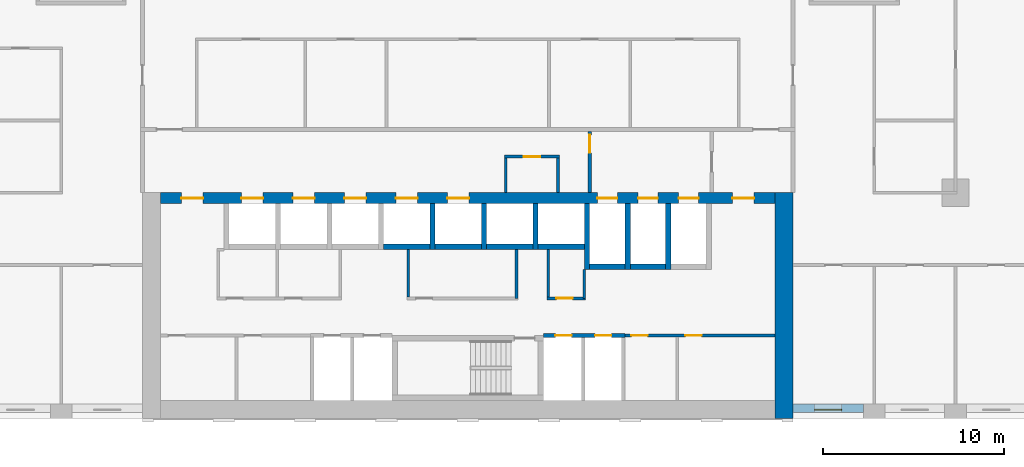
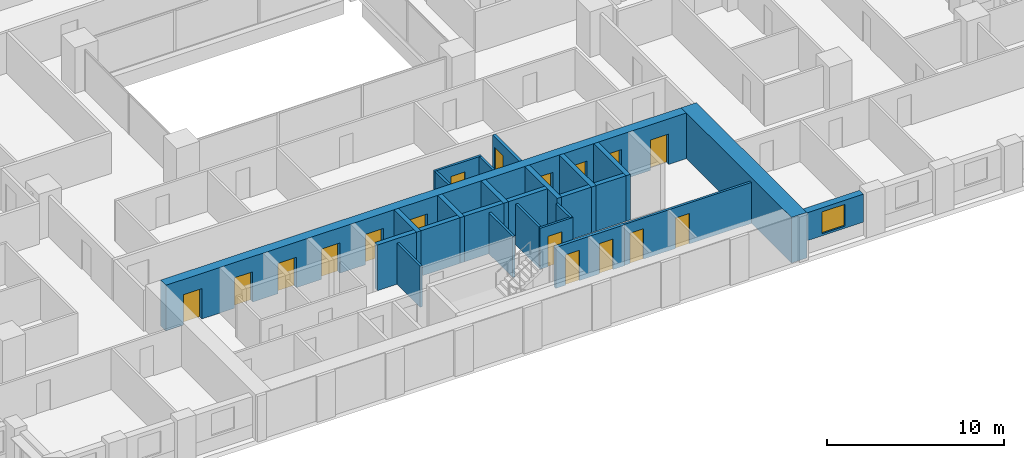
# One storey, part 11 of 20: 26 walls, 17 doors, 1 window, 18 openings.
"""IFC4 building model written with IfcOpenShell, lengths in metres."""

from ifc_helpers import new_model, si_unit, direction, frame, frame_2d, origin, place, context, subcontext, project, spatial, rectangle, extrude, material, layer, layer_set, type_object, element, fill, save


model = new_model("IFC4")

# Units and contexts
model_context = context("Model", 3, precision=1e-05, world=origin(), true_north=direction((0.0, 1.0)))
body_context = subcontext(model_context, "Body", "Model", "MODEL_VIEW")
ifc_project = project(units=[si_unit("LENGTHUNIT", "METRE"), si_unit("AREAUNIT", "SQUARE_METRE"), si_unit("VOLUMEUNIT", "CUBIC_METRE"), si_unit("PLANEANGLEUNIT", "RADIAN"), si_unit("MASSUNIT", "GRAM", prefix="KILO")], contexts=[model_context])

# Site, building, storey
site_placement = place(None, origin())
site = spatial("IfcSite", under=ifc_project, at=site_placement, CompositionType="ELEMENT")
building_placement = place(site_placement, origin())
building = spatial("IfcBuilding", under=site, at=building_placement, Name="Brigalow Station Residences", CompositionType="ELEMENT")
storey_placement = place(building_placement, frame((0.0, 0.0, 41.550048828125)))
storey = spatial("IfcBuildingStorey", under=building, at=storey_placement, Name="L11", CompositionType="ELEMENT", Elevation=41.550048828125)

# Wall, opening, window
ifc_material_1 = material(Name="Clay brick masonry", Category="masonry")
ifc_layer_1 = layer(ifc_material_1, 0.449951171875)
ifc_layer_set_1 = layer_set([ifc_layer_1], Name="BRICK INFILL WALL 450")
wall_type_1 = type_object("IfcWallType", Name="BRICK INFILL WALL 450", PredefinedType="SOLIDWALL", material=ifc_layer_set_1)
wall_1_placement = place(storey_placement, frame((54.0, 0.574951171875, 0.89990234375), z_axis=(0.0, 0.0, 1.0), x_axis=(1.0, 0.0, 0.0)))
wall_1 = element("IfcWall", 1, at=wall_1_placement, inside=storey, type_object=wall_type_1, Name="L11/ewall/W-L11-5", PredefinedType="SOLIDWALL", context=body_context, shape_type="SweptSolid", body=[
    extrude(rectangle(XDim=3.89990234375, YDim=0.449951171875, at=frame_2d((1.949951171875, 0.0))), origin(), (0.0, 0.0, 1.0), 1.929931640625),
])
opening_1_placement = place(wall_1_placement, frame((1.199951171875, 0.0, 0.14990234375)))
opening_1 = element("IfcOpeningElement", 2, at=opening_1_placement, cuts=wall_1, Name="Opening WT-1", PredefinedType="OPENING", context=body_context, shape_type="SweptSolid", body=[
    extrude(rectangle(XDim=1.5, YDim=1.5, at=frame_2d((0.75, 0.75))), frame((0.0, 0.23486328125, 0.0), z_axis=(0.0, -1.0, 0.0), x_axis=(1.0, 0.0, 0.0)), (0.0, 0.0, 1.0), 0.469970703125),
])
ifc_material_2 = material(Name="Anodised aluminium frame with double glazing", Category="aluminium")
window_type = type_object("IfcWindowType", Name="WINDOW 1500x1500", PartitioningType="SINGLE_PANEL", PredefinedType="WINDOW", material=ifc_material_2)
window_placement = place(opening_1_placement, origin())
window = element("IfcWindow", 3, at=window_placement, inside=storey, type_object=window_type, Name="L11/window/W-L11-5", OverallHeight=1.5, OverallWidth=1.5, PartitioningType="SINGLE_PANEL", PredefinedType="WINDOW", context=body_context, shape_type="SweptSolid", body=[
    extrude(rectangle(XDim=1.5, YDim=1.5, at=frame_2d((0.75, 0.75))), frame((0.0, -0.06494140625, 0.0), z_axis=(0.0, -1.0, 0.0), x_axis=(1.0, 0.0, 0.0)), (0.0, 0.0, 1.0), 0.06005859375),
])
fill(opening_1, window)

# Walls
ifc_material_3 = material(Name="Concrete C80", Category="concrete")
ifc_layer_2 = layer(ifc_material_3, 1.0)
ifc_layer_set_2 = layer_set([ifc_layer_2], Name="CORE SHEAR WALL 1000 C80")
wall_type_2 = type_object("IfcWallType", Name="CORE SHEAR WALL 1000 C80", PredefinedType="SHEAR", material=ifc_layer_set_2)
wall_2_placement = place(storey_placement, frame((53.5, 0.0, 0.0), z_axis=(0.0, 0.0, 1.0), x_axis=(0.0, 1.0, 0.0)))
element("IfcWall", 4, at=wall_2_placement, inside=storey, type_object=wall_type_2, Name="CORE WALL OUT-E L11", PredefinedType="SHEAR", context=body_context, shape_type="SweptSolid", body=[
    extrude(rectangle(XDim=12.5, YDim=1.0, at=frame_2d((6.25, 0.0))), origin(), (0.0, 0.0, 1.0), 3.14990234375),
])
ifc_material_4 = material(Name="Concrete C80", Category="concrete")
ifc_layer_3 = layer(ifc_material_4, 0.300048828125)
ifc_layer_set_3 = layer_set([ifc_layer_3], Name="CORE SHEAR WALL 300 C80")
wall_type_3 = type_object("IfcWallType", Name="CORE SHEAR WALL 300 C80", PredefinedType="SHEAR", material=ifc_layer_set_3)
wall_3_placement = place(storey_placement, frame((31.35009765625, 9.5, 0.0), z_axis=(0.0, 0.0, 1.0), x_axis=(1.0, 0.0, 0.0)))
element("IfcWall", 5, at=wall_3_placement, inside=storey, type_object=wall_type_3, Name="CORE WALL SH-P4-S L11", PredefinedType="SHEAR", context=body_context, shape_type="SweptSolid", body=[
    extrude(rectangle(XDim=2.5498046875, YDim=0.300048828125, at=frame_2d((1.27490234375, 0.0))), origin(), (0.0, 0.0, 1.0), 3.14990234375),
])
wall_4_placement = place(storey_placement, frame((34.199951171875, 9.5, 0.0), z_axis=(0.0, 0.0, 1.0), x_axis=(1.0, 0.0, 0.0)))
element("IfcWall", 6, at=wall_4_placement, inside=storey, type_object=wall_type_3, Name="CORE WALL SH-P5-S L11", PredefinedType="SHEAR", context=body_context, shape_type="SweptSolid", body=[
    extrude(rectangle(XDim=2.550048828125, YDim=0.300048828125, at=frame_2d((1.27490234375, 0.0))), origin(), (0.0, 0.0, 1.0), 3.14990234375),
])
wall_5_placement = place(storey_placement, frame((34.050048828125, 9.35009765625, 0.0), z_axis=(0.0, 0.0, 1.0), x_axis=(0.0, 1.0, 0.0)))
element("IfcWall", 7, at=wall_5_placement, inside=storey, type_object=wall_type_3, Name="CORE WALL SH-P5-W L11", PredefinedType="SHEAR", context=body_context, shape_type="SweptSolid", body=[
    extrude(rectangle(XDim=2.5498046875, YDim=0.300048828125, at=frame_2d((1.27490234375, 0.0))), origin(), (0.0, 0.0, 1.0), 3.14990234375),
])
wall_6_placement = place(storey_placement, frame((37.050048828125, 9.5, 0.0), z_axis=(0.0, 0.0, 1.0), x_axis=(1.0, 0.0, 0.0)))
element("IfcWall", 8, at=wall_6_placement, inside=storey, type_object=wall_type_3, Name="CORE WALL SH-X1-S L11", PredefinedType="SHEAR", context=body_context, shape_type="SweptSolid", body=[
    extrude(rectangle(XDim=2.550048828125, YDim=0.300048828125, at=frame_2d((1.27490234375, 0.0))), origin(), (0.0, 0.0, 1.0), 3.14990234375),
])
wall_7_placement = place(storey_placement, frame((36.89990234375, 9.35009765625, 0.0), z_axis=(0.0, 0.0, 1.0), x_axis=(0.0, 1.0, 0.0)))
element("IfcWall", 9, at=wall_7_placement, inside=storey, type_object=wall_type_3, Name="CORE WALL SH-X1-W L11", PredefinedType="SHEAR", context=body_context, shape_type="SweptSolid", body=[
    extrude(rectangle(XDim=2.5498046875, YDim=0.300048828125, at=frame_2d((1.27490234375, 0.0))), origin(), (0.0, 0.0, 1.0), 3.14990234375),
])
wall_8_placement = place(storey_placement, frame((39.89990234375, 9.5, 0.0), z_axis=(0.0, 0.0, 1.0), x_axis=(1.0, 0.0, 0.0)))
element("IfcWall", 10, at=wall_8_placement, inside=storey, type_object=wall_type_3, Name="CORE WALL SH-X2-S L11", PredefinedType="SHEAR", context=body_context, shape_type="SweptSolid", body=[
    extrude(rectangle(XDim=2.550048828125, YDim=0.300048828125, at=frame_2d((1.27490234375, 0.0))), origin(), (0.0, 0.0, 1.0), 3.14990234375),
])
wall_9_placement = place(storey_placement, frame((39.75, 9.35009765625, 0.0), z_axis=(0.0, 0.0, 1.0), x_axis=(0.0, 1.0, 0.0)))
element("IfcWall", 11, at=wall_9_placement, inside=storey, type_object=wall_type_3, Name="CORE WALL SH-X2-W L11", PredefinedType="SHEAR", context=body_context, shape_type="SweptSolid", body=[
    extrude(rectangle(XDim=2.5498046875, YDim=0.300048828125, at=frame_2d((1.27490234375, 0.0))), origin(), (0.0, 0.0, 1.0), 3.14990234375),
])
wall_10_placement = place(storey_placement, frame((42.75, 8.39990234375, 0.0), z_axis=(0.0, 0.0, 1.0), x_axis=(1.0, 0.0, 0.0)))
element("IfcWall", 12, at=wall_10_placement, inside=storey, type_object=wall_type_3, Name="CORE WALL SH-FF1-S L11", PredefinedType="SHEAR", context=body_context, shape_type="SweptSolid", body=[
    extrude(rectangle(XDim=1.949951171875, YDim=0.300048828125, at=frame_2d((0.97509765625, 0.0))), origin(), (0.0, 0.0, 1.0), 3.14990234375),
])
wall_11_placement = place(storey_placement, frame((42.60009765625, 8.25, 0.0), z_axis=(0.0, 0.0, 1.0), x_axis=(0.0, 1.0, 0.0)))
element("IfcWall", 13, at=wall_11_placement, inside=storey, type_object=wall_type_3, Name="CORE WALL SH-FF1-W L11", PredefinedType="SHEAR", context=body_context, shape_type="SweptSolid", body=[
    extrude(rectangle(XDim=3.64990234375, YDim=0.300048828125, at=frame_2d((1.824951171875, 0.0))), origin(), (0.0, 0.0, 1.0), 3.14990234375),
])
wall_12_placement = place(storey_placement, frame((45.0, 8.39990234375, 0.0), z_axis=(0.0, 0.0, 1.0), x_axis=(1.0, 0.0, 0.0)))
element("IfcWall", 14, at=wall_12_placement, inside=storey, type_object=wall_type_3, Name="CORE WALL SH-FF2-S L11", PredefinedType="SHEAR", context=body_context, shape_type="SweptSolid", body=[
    extrude(rectangle(XDim=1.949951171875, YDim=0.300048828125, at=frame_2d((0.97509765625, 0.0))), origin(), (0.0, 0.0, 1.0), 3.14990234375),
])
for number, where, z_axis, x_axis, name in (
    (15, (44.85009765625, 8.25, 0.0), (0.0, 0.0, 1.0), (0.0, 1.0, 0.0), "CORE WALL SH-FF2-W L11"),
    (16, (47.10009765625, 8.25, 0.0), (0.0, 0.0, 1.0), (0.0, 1.0, 0.0), "CORE WALL SH-SL1-W L11"),
):
    element("IfcWall", number, at=place(storey_placement, frame(where, z_axis=z_axis, x_axis=x_axis)), inside=storey, type_object=wall_type_3, Name=name, PredefinedType="SHEAR", context=body_context, shape_type="SweptSolid", body=[
        extrude(rectangle(XDim=3.64990234375, YDim=0.300048828125, at=frame_2d((1.824951171875, 0.0))), origin(), (0.0, 0.0, 1.0), 3.14990234375),
    ])

# Wall, openings, doors
ifc_material_5 = material(Name="Concrete C80", Category="concrete")
ifc_layer_4 = layer(ifc_material_5, 0.60009765625)
ifc_layer_set_4 = layer_set([ifc_layer_4], Name="CORE SHEAR WALL 600 C80")
wall_type_4 = type_object("IfcWallType", Name="CORE SHEAR WALL 600 C80", PredefinedType="SHEAR", material=ifc_layer_set_4)
wall_13_placement = place(storey_placement, frame((19.0, 12.199951171875, 0.0), z_axis=(0.0, 0.0, 1.0), x_axis=(1.0, 0.0, 0.0)))
wall_13 = element("IfcWall", 17, at=wall_13_placement, inside=storey, type_object=wall_type_4, Name="CORE WALL OUT-N L11", PredefinedType="SHEAR", context=body_context, shape_type="SweptSolid", body=[
    extrude(rectangle(XDim=34.0, YDim=0.60009765625, at=frame_2d((17.0, 0.0))), origin(), (0.0, 0.0, 1.0), 3.14990234375),
])
opening_2_placement = place(wall_13_placement, frame((4.47509765625, 0.0, 0.0)))
opening_2 = element("IfcOpeningElement", 18, at=opening_2_placement, cuts=wall_13, Name="Opening LD-LA1", PredefinedType="OPENING", context=body_context, shape_type="SweptSolid", body=[
    extrude(rectangle(XDim=1.199951171875, YDim=2.10009765625, at=frame_2d((0.60009765625, 1.050048828125))), frame((0.0, 0.31005859375, 0.0), z_axis=(0.0, -1.0, 0.0), x_axis=(1.0, 0.0, 0.0)), (0.0, 0.0, 1.0), 0.6201171875),
])
opening_3_placement = place(wall_13_placement, frame((7.324951171875, 0.0, 0.0)))
opening_3 = element("IfcOpeningElement", 19, at=opening_3_placement, cuts=wall_13, Name="Opening LD-LA2", PredefinedType="OPENING", context=body_context, shape_type="SweptSolid", body=[
    extrude(rectangle(XDim=1.199951171875, YDim=2.10009765625, at=frame_2d((0.60009765625, 1.050048828125))), frame((0.0, 0.31005859375, 0.0), z_axis=(0.0, -1.0, 0.0), x_axis=(1.0, 0.0, 0.0)), (0.0, 0.0, 1.0), 0.6201171875),
])
opening_4_placement = place(wall_13_placement, frame((10.175048828125, 0.0, 0.0)))
opening_4 = element("IfcOpeningElement", 20, at=opening_4_placement, cuts=wall_13, Name="Opening LD-LA3", PredefinedType="OPENING", context=body_context, shape_type="SweptSolid", body=[
    extrude(rectangle(XDim=1.199951171875, YDim=2.10009765625, at=frame_2d((0.60009765625, 1.050048828125))), frame((0.0, 0.31005859375, 0.0), z_axis=(0.0, -1.0, 0.0), x_axis=(1.0, 0.0, 0.0)), (0.0, 0.0, 1.0), 0.6201171875),
])
opening_5_placement = place(wall_13_placement, frame((13.02490234375, 0.0, 0.0)))
opening_5 = element("IfcOpeningElement", 21, at=opening_5_placement, cuts=wall_13, Name="Opening LD-LA4", PredefinedType="OPENING", context=body_context, shape_type="SweptSolid", body=[
    extrude(rectangle(XDim=1.199951171875, YDim=2.10009765625, at=frame_2d((0.60009765625, 1.050048828125))), frame((0.0, 0.31005859375, 0.0), z_axis=(0.0, -1.0, 0.0), x_axis=(1.0, 0.0, 0.0)), (0.0, 0.0, 1.0), 0.6201171875),
])
opening_6_placement = place(wall_13_placement, frame((15.875, 0.0, 0.0)))
opening_6 = element("IfcOpeningElement", 22, at=opening_6_placement, cuts=wall_13, Name="Opening LD-LA5", PredefinedType="OPENING", context=body_context, shape_type="SweptSolid", body=[
    extrude(rectangle(XDim=1.199951171875, YDim=2.10009765625, at=frame_2d((0.60009765625, 1.050048828125))), frame((0.0, 0.31005859375, 0.0), z_axis=(0.0, -1.0, 0.0), x_axis=(1.0, 0.0, 0.0)), (0.0, 0.0, 1.0), 0.6201171875),
])
opening_7_placement = place(wall_13_placement, frame((24.175048828125, 0.0, 0.0)))
opening_7 = element("IfcOpeningElement", 23, at=opening_7_placement, cuts=wall_13, Name="Opening LD-LF1", PredefinedType="OPENING", context=body_context, shape_type="SweptSolid", body=[
    extrude(rectangle(XDim=1.10009765625, YDim=2.10009765625, at=frame_2d((0.550048828125, 1.050048828125))), frame((0.0, 0.31005859375, 0.0), z_axis=(0.0, -1.0, 0.0), x_axis=(1.0, 0.0, 0.0)), (0.0, 0.0, 1.0), 0.6201171875),
])
opening_8_placement = place(wall_13_placement, frame((26.425048828125, 0.0, 0.0)))
opening_8 = element("IfcOpeningElement", 24, at=opening_8_placement, cuts=wall_13, Name="Opening LD-LF2", PredefinedType="OPENING", context=body_context, shape_type="SweptSolid", body=[
    extrude(rectangle(XDim=1.10009765625, YDim=2.10009765625, at=frame_2d((0.550048828125, 1.050048828125))), frame((0.0, 0.31005859375, 0.0), z_axis=(0.0, -1.0, 0.0), x_axis=(1.0, 0.0, 0.0)), (0.0, 0.0, 1.0), 0.6201171875),
])
opening_9_placement = place(wall_13_placement, frame((28.675048828125, 0.0, 0.0)))
opening_9 = element("IfcOpeningElement", 25, at=opening_9_placement, cuts=wall_13, Name="Opening LD-LG1", PredefinedType="OPENING", context=body_context, shape_type="SweptSolid", body=[
    extrude(rectangle(XDim=1.10009765625, YDim=2.10009765625, at=frame_2d((0.550048828125, 1.050048828125))), frame((0.0, 0.31005859375, 0.0), z_axis=(0.0, -1.0, 0.0), x_axis=(1.0, 0.0, 0.0)), (0.0, 0.0, 1.0), 0.6201171875),
])
opening_10_placement = place(wall_13_placement, frame((1.14990234375, 0.0, 0.0)))
opening_10 = element("IfcOpeningElement", 26, at=opening_10_placement, cuts=wall_13, Name="Opening D-5011", PredefinedType="OPENING", context=body_context, shape_type="SweptSolid", body=[
    extrude(rectangle(XDim=1.199951171875, YDim=2.10009765625, at=frame_2d((0.60009765625, 1.050048828125))), frame((0.0, 0.31005859375, 0.0), z_axis=(0.0, -1.0, 0.0), x_axis=(1.0, 0.0, 0.0)), (0.0, 0.0, 1.0), 0.6201171875),
])
opening_11_placement = place(wall_13_placement, frame((31.64990234375, 0.0, 0.0)))
opening_11 = element("IfcOpeningElement", 27, at=opening_11_placement, cuts=wall_13, Name="Opening D-5012", PredefinedType="OPENING", context=body_context, shape_type="SweptSolid", body=[
    extrude(rectangle(XDim=1.199951171875, YDim=2.10009765625, at=frame_2d((0.60009765625, 1.050048828125))), frame((0.0, 0.31005859375, 0.0), z_axis=(0.0, -1.0, 0.0), x_axis=(1.0, 0.0, 0.0)), (0.0, 0.0, 1.0), 0.6201171875),
])
ifc_material_6 = material(Name="Steel fire door leaf in steel frame", Category="steel")
door_type_1 = type_object("IfcDoorType", Name="CORE CORRIDOR DOOR 1200 x 2100 FD60S", OperationType="SINGLE_SWING_LEFT", PredefinedType="DOOR", material=ifc_material_6)
door_1_placement = place(opening_10_placement, frame((1.199951171875, 0.0, 0.0), z_axis=(0.0, 0.0, 1.0), x_axis=(-1.0, 0.0, 0.0)))
door_1 = element("IfcDoor", 28, at=door_1_placement, inside=storey, type_object=door_type_1, Name="D-5011", OperationType="SINGLE_SWING_LEFT", OverallHeight=2.10009765625, OverallWidth=1.199951171875, PredefinedType="DOOR", context=body_context, shape_type="SweptSolid", body=[
    extrude(rectangle(XDim=1.199951171875, YDim=2.10009765625, at=frame_2d((0.60009765625, 1.050048828125))), frame((0.0, 0.02490234375, 0.0), z_axis=(0.0, -1.0, 0.0), x_axis=(1.0, 0.0, 0.0)), (0.0, 0.0, 1.0), 0.050048828125),
])
fill(opening_10, door_1)
door_2_placement = place(opening_11_placement, frame((1.199951171875, 0.0, 0.0), z_axis=(0.0, 0.0, 1.0), x_axis=(-1.0, 0.0, 0.0)))
door_2 = element("IfcDoor", 29, at=door_2_placement, inside=storey, type_object=door_type_1, Name="D-5012", OperationType="SINGLE_SWING_RIGHT", OverallHeight=2.10009765625, OverallWidth=1.199951171875, PredefinedType="DOOR", context=body_context, shape_type="SweptSolid", body=[
    extrude(rectangle(XDim=1.199951171875, YDim=2.10009765625, at=frame_2d((0.60009765625, 1.050048828125))), frame((0.0, 0.02490234375, 0.0), z_axis=(0.0, -1.0, 0.0), x_axis=(1.0, 0.0, 0.0)), (0.0, 0.0, 1.0), 0.050048828125),
])
fill(opening_11, door_2)
ifc_material_7 = material(Name="Stainless steel sliding door leaves", Category="steel")
door_type_2 = type_object("IfcDoorType", Name="LIFT LANDING DOOR 1100 x 2100", OperationType="DOUBLE_DOOR_SLIDING", PredefinedType="DOOR", material=ifc_material_7)
door_3_placement = place(opening_7_placement, origin())
door_3 = element("IfcDoor", 30, at=door_3_placement, inside=storey, type_object=door_type_2, Name="LANDING DOOR LF1", OperationType="DOUBLE_DOOR_SLIDING", OverallHeight=2.10009765625, OverallWidth=1.10009765625, PredefinedType="DOOR", context=body_context, shape_type="SweptSolid", body=[
    extrude(rectangle(XDim=1.10009765625, YDim=2.10009765625, at=frame_2d((0.550048828125, 1.050048828125))), frame((0.0, 0.02490234375, 0.0), z_axis=(0.0, -1.0, 0.0), x_axis=(1.0, 0.0, 0.0)), (0.0, 0.0, 1.0), 0.050048828125),
])
fill(opening_7, door_3)
door_4_placement = place(opening_8_placement, origin())
door_4 = element("IfcDoor", 31, at=door_4_placement, inside=storey, type_object=door_type_2, Name="LANDING DOOR LF2", OperationType="DOUBLE_DOOR_SLIDING", OverallHeight=2.10009765625, OverallWidth=1.10009765625, PredefinedType="DOOR", context=body_context, shape_type="SweptSolid", body=[
    extrude(rectangle(XDim=1.10009765625, YDim=2.10009765625, at=frame_2d((0.550048828125, 1.050048828125))), frame((0.0, 0.02490234375, 0.0), z_axis=(0.0, -1.0, 0.0), x_axis=(1.0, 0.0, 0.0)), (0.0, 0.0, 1.0), 0.050048828125),
])
fill(opening_8, door_4)
door_5_placement = place(opening_9_placement, origin())
door_5 = element("IfcDoor", 32, at=door_5_placement, inside=storey, type_object=door_type_2, Name="LANDING DOOR LG1", OperationType="DOUBLE_DOOR_SLIDING", OverallHeight=2.10009765625, OverallWidth=1.10009765625, PredefinedType="DOOR", context=body_context, shape_type="SweptSolid", body=[
    extrude(rectangle(XDim=1.10009765625, YDim=2.10009765625, at=frame_2d((0.550048828125, 1.050048828125))), frame((0.0, 0.02490234375, 0.0), z_axis=(0.0, -1.0, 0.0), x_axis=(1.0, 0.0, 0.0)), (0.0, 0.0, 1.0), 0.050048828125),
])
fill(opening_9, door_5)
ifc_material_8 = material(Name="Stainless steel sliding door leaves", Category="steel")
door_type_3 = type_object("IfcDoorType", Name="LIFT LANDING DOOR 1200 x 2100", OperationType="DOUBLE_DOOR_SLIDING", PredefinedType="DOOR", material=ifc_material_8)
door_6_placement = place(opening_2_placement, origin())
door_6 = element("IfcDoor", 33, at=door_6_placement, inside=storey, type_object=door_type_3, Name="LANDING DOOR LA1", OperationType="DOUBLE_DOOR_SLIDING", OverallHeight=2.10009765625, OverallWidth=1.199951171875, PredefinedType="DOOR", context=body_context, shape_type="SweptSolid", body=[
    extrude(rectangle(XDim=1.199951171875, YDim=2.10009765625, at=frame_2d((0.60009765625, 1.050048828125))), frame((0.0, 0.02490234375, 0.0), z_axis=(0.0, -1.0, 0.0), x_axis=(1.0, 0.0, 0.0)), (0.0, 0.0, 1.0), 0.050048828125),
])
fill(opening_2, door_6)
door_7_placement = place(opening_3_placement, origin())
door_7 = element("IfcDoor", 34, at=door_7_placement, inside=storey, type_object=door_type_3, Name="LANDING DOOR LA2", OperationType="DOUBLE_DOOR_SLIDING", OverallHeight=2.10009765625, OverallWidth=1.199951171875, PredefinedType="DOOR", context=body_context, shape_type="SweptSolid", body=[
    extrude(rectangle(XDim=1.199951171875, YDim=2.10009765625, at=frame_2d((0.60009765625, 1.050048828125))), frame((0.0, 0.02490234375, 0.0), z_axis=(0.0, -1.0, 0.0), x_axis=(1.0, 0.0, 0.0)), (0.0, 0.0, 1.0), 0.050048828125),
])
fill(opening_3, door_7)
door_8_placement = place(opening_4_placement, origin())
door_8 = element("IfcDoor", 35, at=door_8_placement, inside=storey, type_object=door_type_3, Name="LANDING DOOR LA3", OperationType="DOUBLE_DOOR_SLIDING", OverallHeight=2.10009765625, OverallWidth=1.199951171875, PredefinedType="DOOR", context=body_context, shape_type="SweptSolid", body=[
    extrude(rectangle(XDim=1.199951171875, YDim=2.10009765625, at=frame_2d((0.60009765625, 1.050048828125))), frame((0.0, 0.02490234375, 0.0), z_axis=(0.0, -1.0, 0.0), x_axis=(1.0, 0.0, 0.0)), (0.0, 0.0, 1.0), 0.050048828125),
])
fill(opening_4, door_8)
door_9_placement = place(opening_5_placement, origin())
door_9 = element("IfcDoor", 36, at=door_9_placement, inside=storey, type_object=door_type_3, Name="LANDING DOOR LA4", OperationType="DOUBLE_DOOR_SLIDING", OverallHeight=2.10009765625, OverallWidth=1.199951171875, PredefinedType="DOOR", context=body_context, shape_type="SweptSolid", body=[
    extrude(rectangle(XDim=1.199951171875, YDim=2.10009765625, at=frame_2d((0.60009765625, 1.050048828125))), frame((0.0, 0.02490234375, 0.0), z_axis=(0.0, -1.0, 0.0), x_axis=(1.0, 0.0, 0.0)), (0.0, 0.0, 1.0), 0.050048828125),
])
fill(opening_5, door_9)
door_10_placement = place(opening_6_placement, origin())
door_10 = element("IfcDoor", 37, at=door_10_placement, inside=storey, type_object=door_type_3, Name="LANDING DOOR LA5", OperationType="DOUBLE_DOOR_SLIDING", OverallHeight=2.10009765625, OverallWidth=1.199951171875, PredefinedType="DOOR", context=body_context, shape_type="SweptSolid", body=[
    extrude(rectangle(XDim=1.199951171875, YDim=2.10009765625, at=frame_2d((0.60009765625, 1.050048828125))), frame((0.0, 0.02490234375, 0.0), z_axis=(0.0, -1.0, 0.0), x_axis=(1.0, 0.0, 0.0)), (0.0, 0.0, 1.0), 0.050048828125),
])
fill(opening_6, door_10)

ifc_material_9 = material(Name="Concrete blockwork", Category="masonry")
ifc_layer_5 = layer(ifc_material_9, 0.199951171875)
ifc_layer_set_5 = layer_set([ifc_layer_5], Name="FIRE RATED CORE PARTITION 200")
wall_type_5 = type_object("IfcWallType", Name="FIRE RATED CORE PARTITION 200", PredefinedType="PARTITIONING", material=ifc_layer_set_5)
wall_14_placement = place(storey_placement, frame((40.199951171875, 4.60009765625, 0.0), z_axis=(0.0, 0.0, 1.0), x_axis=(1.0, 0.0, 0.0)))
wall_14 = element("IfcWall", 38, at=wall_14_placement, inside=storey, type_object=wall_type_5, Name="PW-5018", PredefinedType="PARTITIONING", context=body_context, shape_type="SweptSolid", body=[
    extrude(rectangle(XDim=4.5, YDim=0.199951171875, at=frame_2d((2.25, 0.0))), origin(), (0.0, 0.0, 1.0), 2.829833984375),
])
opening_12_placement = place(wall_14_placement, frame((0.64990234375, 0.0, 0.0)))
opening_12 = element("IfcOpeningElement", 39, at=opening_12_placement, cuts=wall_14, Name="Opening D-5009", PredefinedType="OPENING", context=body_context, shape_type="SweptSolid", body=[
    extrude(rectangle(XDim=0.89990234375, YDim=2.10009765625, at=frame_2d((0.449951171875, 1.050048828125))), frame((0.0, 0.10986328125, 0.0), z_axis=(0.0, -1.0, 0.0), x_axis=(1.0, 0.0, 0.0)), (0.0, 0.0, 1.0), 0.219970703125),
])
opening_13_placement = place(wall_14_placement, frame((2.85009765625, 0.0, 0.0)))
opening_13 = element("IfcOpeningElement", 40, at=opening_13_placement, cuts=wall_14, Name="Opening D-5010", PredefinedType="OPENING", context=body_context, shape_type="SweptSolid", body=[
    extrude(rectangle(XDim=0.89990234375, YDim=2.10009765625, at=frame_2d((0.449951171875, 1.050048828125))), frame((0.0, 0.10986328125, 0.0), z_axis=(0.0, -1.0, 0.0), x_axis=(1.0, 0.0, 0.0)), (0.0, 0.0, 1.0), 0.219970703125),
])
ifc_material_10 = material(Name="Steel fire door leaf in steel frame", Category="steel")
door_type_4 = type_object("IfcDoorType", Name="RISER ACCESS DOOR 900 x 2100 FD120", OperationType="SINGLE_SWING_LEFT", PredefinedType="DOOR", material=ifc_material_10)
door_11_placement = place(opening_12_placement, frame((0.89990234375, 0.0, 0.0), z_axis=(0.0, 0.0, 1.0), x_axis=(-1.0, 0.0, 0.0)))
door_11 = element("IfcDoor", 41, at=door_11_placement, inside=storey, type_object=door_type_4, Name="D-5009", OperationType="SINGLE_SWING_LEFT", OverallHeight=2.10009765625, OverallWidth=0.89990234375, PredefinedType="DOOR", context=body_context, shape_type="SweptSolid", body=[
    extrude(rectangle(XDim=0.89990234375, YDim=2.10009765625, at=frame_2d((0.449951171875, 1.050048828125))), frame((0.0, 0.02490234375, 0.0), z_axis=(0.0, -1.0, 0.0), x_axis=(1.0, 0.0, 0.0)), (0.0, 0.0, 1.0), 0.050048828125),
])
fill(opening_12, door_11)
door_12_placement = place(opening_13_placement, frame((0.89990234375, 0.0, 0.0), z_axis=(0.0, 0.0, 1.0), x_axis=(-1.0, 0.0, 0.0)))
door_12 = element("IfcDoor", 42, at=door_12_placement, inside=storey, type_object=door_type_4, Name="D-5010", OperationType="SINGLE_SWING_LEFT", OverallHeight=2.10009765625, OverallWidth=0.89990234375, PredefinedType="DOOR", context=body_context, shape_type="SweptSolid", body=[
    extrude(rectangle(XDim=0.89990234375, YDim=2.10009765625, at=frame_2d((0.449951171875, 1.050048828125))), frame((0.0, 0.02490234375, 0.0), z_axis=(0.0, -1.0, 0.0), x_axis=(1.0, 0.0, 0.0)), (0.0, 0.0, 1.0), 0.050048828125),
])
fill(opening_13, door_12)

# Wall, opening, door
wall_15_placement = place(storey_placement, frame((42.75, 12.5, 0.0), z_axis=(0.0, 0.0, 1.0), x_axis=(0.0, 1.0, 0.0)))
wall_15 = element("IfcWall", 43, at=wall_15_placement, inside=storey, type_object=wall_type_5, Name="PW-5014", PredefinedType="PARTITIONING", context=body_context, shape_type="SweptSolid", body=[
    extrude(rectangle(XDim=3.39990234375, YDim=0.199951171875, at=frame_2d((1.699951171875, 0.0))), origin(), (0.0, 0.0, 1.0), 2.829833984375),
])
opening_14_placement = place(wall_15_placement, frame((2.199951171875, 0.0, 0.0)))
opening_14 = element("IfcOpeningElement", 44, at=opening_14_placement, cuts=wall_15, Name="Opening D-5013", PredefinedType="OPENING", context=body_context, shape_type="SweptSolid", body=[
    extrude(rectangle(XDim=1.0, YDim=2.10009765625, at=frame_2d((0.5, 1.050048828125))), frame((0.0, 0.10986328125, 0.0), z_axis=(0.0, -1.0, 0.0), x_axis=(1.0, 0.0, 0.0)), (0.0, 0.0, 1.0), 0.219970703125),
])
ifc_material_11 = material(Name="Steel fire door leaf in steel frame", Category="steel")
door_type_5 = type_object("IfcDoorType", Name="LOBBY DOOR 1000 x 2100 FD60S", OperationType="SINGLE_SWING_LEFT", PredefinedType="DOOR", material=ifc_material_11)
door_13_placement = place(opening_14_placement, origin())
door_13 = element("IfcDoor", 45, at=door_13_placement, inside=storey, type_object=door_type_5, Name="D-5013", OperationType="SINGLE_SWING_RIGHT", OverallHeight=2.10009765625, OverallWidth=1.0, PredefinedType="DOOR", context=body_context, shape_type="SweptSolid", body=[
    extrude(rectangle(XDim=1.0, YDim=2.10009765625, at=frame_2d((0.5, 1.050048828125))), frame((0.0, 0.02490234375, 0.0), z_axis=(0.0, -1.0, 0.0), x_axis=(1.0, 0.0, 0.0)), (0.0, 0.0, 1.0), 0.050048828125),
])
fill(opening_14, door_13)

# Wall, openings, doors
ifc_material_12 = material(Name="Plasterboard on steel studs", Category="steel")
ifc_layer_6 = layer(ifc_material_12, 0.14990234375)
ifc_layer_set_6 = layer_set([ifc_layer_6], Name="SERVICE ROOM PARTITION 150")
wall_type_6 = type_object("IfcWallType", Name="SERVICE ROOM PARTITION 150", PredefinedType="PARTITIONING", material=ifc_layer_set_6)
wall_16_placement = place(storey_placement, frame((44.699951171875, 4.60009765625, 0.0), z_axis=(0.0, 0.0, 1.0), x_axis=(1.0, 0.0, 0.0)))
wall_16 = element("IfcWall", 46, at=wall_16_placement, inside=storey, type_object=wall_type_6, Name="PW-5020", PredefinedType="PARTITIONING", context=body_context, shape_type="SweptSolid", body=[
    extrude(rectangle(XDim=8.300048828125, YDim=0.14990234375, at=frame_2d((4.14990234375, 0.0))), origin(), (0.0, 0.0, 1.0), 2.829833984375),
])
opening_15_placement = place(wall_16_placement, frame((0.35009765625, 0.0, 0.0)))
opening_15 = element("IfcOpeningElement", 47, at=opening_15_placement, cuts=wall_16, Name="Opening D-5026", PredefinedType="OPENING", context=body_context, shape_type="SweptSolid", body=[
    extrude(rectangle(XDim=0.89990234375, YDim=2.10009765625, at=frame_2d((0.449951171875, 1.050048828125))), frame((0.0, 0.0849609375, 0.0), z_axis=(0.0, -1.0, 0.0), x_axis=(1.0, 0.0, 0.0)), (0.0, 0.0, 1.0), 0.169921875),
])
opening_16_placement = place(wall_16_placement, frame((3.35009765625, 0.0, 0.0)))
opening_16 = element("IfcOpeningElement", 48, at=opening_16_placement, cuts=wall_16, Name="Opening D-5075", PredefinedType="OPENING", context=body_context, shape_type="SweptSolid", body=[
    extrude(rectangle(XDim=0.89990234375, YDim=2.10009765625, at=frame_2d((0.449951171875, 1.050048828125))), frame((0.0, 0.0849609375, 0.0), z_axis=(0.0, -1.0, 0.0), x_axis=(1.0, 0.0, 0.0)), (0.0, 0.0, 1.0), 0.169921875),
])
ifc_material_13 = material(Name="Steel door leaf in steel frame", Category="steel")
door_type_6 = type_object("IfcDoorType", Name="SERVICE ROOM DOOR 900 x 2100 FD60", OperationType="SINGLE_SWING_LEFT", PredefinedType="DOOR", material=ifc_material_13)
door_14_placement = place(opening_15_placement, frame((0.89990234375, 0.0, 0.0), z_axis=(0.0, 0.0, 1.0), x_axis=(-1.0, 0.0, 0.0)))
door_14 = element("IfcDoor", 49, at=door_14_placement, inside=storey, type_object=door_type_6, Name="D-5026", OperationType="SINGLE_SWING_RIGHT", OverallHeight=2.10009765625, OverallWidth=0.89990234375, PredefinedType="DOOR", context=body_context, shape_type="SweptSolid", body=[
    extrude(rectangle(XDim=0.89990234375, YDim=2.10009765625, at=frame_2d((0.449951171875, 1.050048828125))), frame((0.0, 0.02490234375, 0.0), z_axis=(0.0, -1.0, 0.0), x_axis=(1.0, 0.0, 0.0)), (0.0, 0.0, 1.0), 0.050048828125),
])
fill(opening_15, door_14)
door_15_placement = place(opening_16_placement, frame((0.89990234375, 0.0, 0.0), z_axis=(0.0, 0.0, 1.0), x_axis=(-1.0, 0.0, 0.0)))
door_15 = element("IfcDoor", 50, at=door_15_placement, inside=storey, type_object=door_type_6, Name="D-5075", OperationType="SINGLE_SWING_RIGHT", OverallHeight=2.10009765625, OverallWidth=0.89990234375, PredefinedType="DOOR", context=body_context, shape_type="SweptSolid", body=[
    extrude(rectangle(XDim=0.89990234375, YDim=2.10009765625, at=frame_2d((0.449951171875, 1.050048828125))), frame((0.0, 0.02490234375, 0.0), z_axis=(0.0, -1.0, 0.0), x_axis=(1.0, 0.0, 0.0)), (0.0, 0.0, 1.0), 0.050048828125),
])
fill(opening_16, door_15)

# Wall, opening, door
wall_17_placement = place(storey_placement, frame((40.375, 6.64990234375, 0.0), z_axis=(0.0, 0.0, 1.0), x_axis=(1.0, 0.0, 0.0)))
wall_17 = element("IfcWall", 51, at=wall_17_placement, inside=storey, type_object=wall_type_6, Name="PW-5128", PredefinedType="PARTITIONING", context=body_context, shape_type="SweptSolid", body=[
    extrude(rectangle(XDim=2.14990234375, YDim=0.14990234375, at=frame_2d((1.074951171875, 0.0))), origin(), (0.0, 0.0, 1.0), 2.829833984375),
])
opening_17_placement = place(wall_17_placement, frame((0.52490234375, 0.0, 0.0)))
opening_17 = element("IfcOpeningElement", 52, at=opening_17_placement, cuts=wall_17, Name="Opening D-5034", PredefinedType="OPENING", context=body_context, shape_type="SweptSolid", body=[
    extrude(rectangle(XDim=0.89990234375, YDim=2.10009765625, at=frame_2d((0.449951171875, 1.050048828125))), frame((0.0, 0.0849609375, 0.0), z_axis=(0.0, -1.0, 0.0), x_axis=(1.0, 0.0, 0.0)), (0.0, 0.0, 1.0), 0.169921875),
])
door_16_placement = place(opening_17_placement, origin())
door_16 = element("IfcDoor", 53, at=door_16_placement, inside=storey, type_object=door_type_6, Name="D-5034", OperationType="SINGLE_SWING_LEFT", OverallHeight=2.10009765625, OverallWidth=0.89990234375, PredefinedType="DOOR", context=body_context, shape_type="SweptSolid", body=[
    extrude(rectangle(XDim=0.89990234375, YDim=2.10009765625, at=frame_2d((0.449951171875, 1.050048828125))), frame((0.0, 0.02490234375, 0.0), z_axis=(0.0, -1.0, 0.0), x_axis=(1.0, 0.0, 0.0)), (0.0, 0.0, 1.0), 0.050048828125),
])
fill(opening_17, door_16)

wall_18_placement = place(storey_placement, frame((38.02490234375, 14.5, 0.0), z_axis=(0.0, 0.0, 1.0), x_axis=(1.0, 0.0, 0.0)))
wall_18 = element("IfcWall", 54, at=wall_18_placement, inside=storey, type_object=wall_type_6, Name="PW-5138", PredefinedType="PARTITIONING", context=body_context, shape_type="SweptSolid", body=[
    extrude(rectangle(XDim=3.050048828125, YDim=0.14990234375, at=frame_2d((1.52490234375, 0.0))), origin(), (0.0, 0.0, 1.0), 2.829833984375),
])
opening_18_placement = place(wall_18_placement, frame((1.074951171875, 0.0, 0.0)))
opening_18 = element("IfcOpeningElement", 55, at=opening_18_placement, cuts=wall_18, Name="Opening D-5079", PredefinedType="OPENING", context=body_context, shape_type="SweptSolid", body=[
    extrude(rectangle(XDim=0.89990234375, YDim=2.10009765625, at=frame_2d((0.449951171875, 1.050048828125))), frame((0.0, 0.0849609375, 0.0), z_axis=(0.0, -1.0, 0.0), x_axis=(1.0, 0.0, 0.0)), (0.0, 0.0, 1.0), 0.169921875),
])
door_17_placement = place(opening_18_placement, frame((0.89990234375, 0.0, 0.0), z_axis=(0.0, 0.0, 1.0), x_axis=(-1.0, 0.0, 0.0)))
door_17 = element("IfcDoor", 56, at=door_17_placement, inside=storey, type_object=door_type_6, Name="D-5079", OperationType="SINGLE_SWING_RIGHT", OverallHeight=2.10009765625, OverallWidth=0.89990234375, PredefinedType="DOOR", context=body_context, shape_type="SweptSolid", body=[
    extrude(rectangle(XDim=0.89990234375, YDim=2.10009765625, at=frame_2d((0.449951171875, 1.050048828125))), frame((0.0, 0.02490234375, 0.0), z_axis=(0.0, -1.0, 0.0), x_axis=(1.0, 0.0, 0.0)), (0.0, 0.0, 1.0), 0.050048828125),
])
fill(opening_18, door_17)

# Walls
wall_19_placement = place(storey_placement, frame((38.699951171875, 6.64990234375, 0.0), z_axis=(0.0, 0.0, 1.0), x_axis=(0.0, 1.0, 0.0)))
element("IfcWall", 57, at=wall_19_placement, inside=storey, type_object=wall_type_6, Name="PW-5132", PredefinedType="PARTITIONING", context=body_context, shape_type="SweptSolid", body=[
    extrude(rectangle(XDim=2.7001953125, YDim=0.14990234375, at=frame_2d((1.35009765625, 0.0))), origin(), (0.0, 0.0, 1.0), 2.829833984375),
])
wall_20_placement = place(storey_placement, frame((42.449951171875, 6.64990234375, 0.0), z_axis=(0.0, 0.0, 1.0), x_axis=(0.0, 1.0, 0.0)))
element("IfcWall", 58, at=wall_20_placement, inside=storey, type_object=wall_type_6, Name="PW-5029", PredefinedType="PARTITIONING", context=body_context, shape_type="SweptSolid", body=[
    extrude(rectangle(XDim=1.60009765625, YDim=0.14990234375, at=frame_2d((0.800048828125, 0.0))), origin(), (0.0, 0.0, 1.0), 2.829833984375),
])
for number, where, z_axis, x_axis, name in (
    (59, (32.699951171875, 6.72509765625, 0.0), (0.0, 0.0, 1.0), (0.0, 1.0, 0.0), "PW-5135"),
    (60, (40.449951171875, 6.72509765625, 0.0), (0.0, 0.0, 1.0), (0.0, 1.0, 0.0), "PW-5044"),
):
    element("IfcWall", number, at=place(storey_placement, frame(where, z_axis=z_axis, x_axis=x_axis)), inside=storey, type_object=wall_type_6, Name=name, PredefinedType="PARTITIONING", context=body_context, shape_type="SweptSolid", body=[
        extrude(rectangle(XDim=2.625, YDim=0.14990234375, at=frame_2d((1.3125, 0.0))), origin(), (0.0, 0.0, 1.0), 2.829833984375),
    ])
for number, where, z_axis, x_axis, name in (
    (61, (38.10009765625, 12.5, 0.0), (0.0, 0.0, 1.0), (0.0, 1.0, 0.0), "PW-5139"),
    (62, (41.0, 12.5, 0.0), (0.0, 0.0, 1.0), (0.0, 1.0, 0.0), "PW-5140"),
):
    element("IfcWall", number, at=place(storey_placement, frame(where, z_axis=z_axis, x_axis=x_axis)), inside=storey, type_object=wall_type_6, Name=name, PredefinedType="PARTITIONING", context=body_context, shape_type="SweptSolid", body=[
        extrude(rectangle(XDim=1.925048828125, YDim=0.14990234375, at=frame_2d((0.96240234375, 0.0))), origin(), (0.0, 0.0, 1.0), 2.829833984375),
    ])

save(model, "model.ifc")
